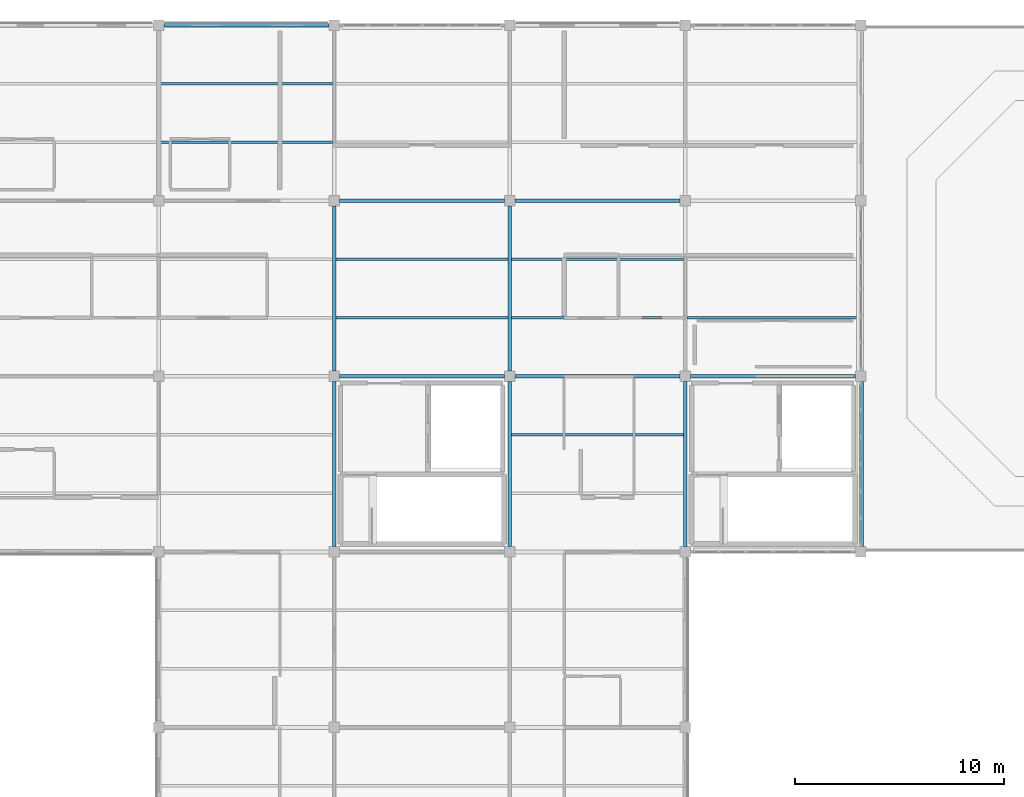
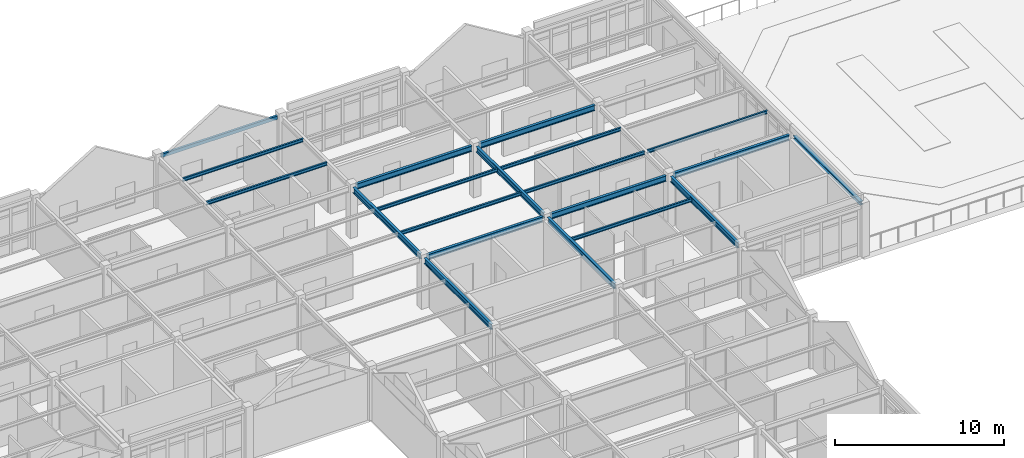
# One storey, part 22 of 45: 20 beams.
"""IFC4 building model written with IfcOpenShell, lengths in metres."""

from ifc_helpers import new_model, si_unit, direction, frame, origin, origin_2d, place, context, subcontext, project, spatial, hollow_rectangle, i_section, extrude, material, material_profile, profile_set, type_object, element, save


model = new_model("IFC4")

# Units and contexts
model_context = context("Model", 3, precision=1e-05, world=origin(), true_north=direction((0.0, 1.0)))
body_context = subcontext(model_context, "Body", "Model", "MODEL_VIEW")
ifc_project = project(units=[si_unit("LENGTHUNIT", "METRE"), si_unit("AREAUNIT", "SQUARE_METRE"), si_unit("VOLUMEUNIT", "CUBIC_METRE"), si_unit("PLANEANGLEUNIT", "RADIAN"), si_unit("MASSUNIT", "GRAM", prefix="KILO")], contexts=[model_context])

# Site, building, storey
site_placement = place(None, origin())
site = spatial("IfcSite", under=ifc_project, at=site_placement, CompositionType="ELEMENT")
building_placement = place(site_placement, origin())
building = spatial("IfcBuilding", under=site, at=building_placement, Name="Bramfleet General Hospital", CompositionType="ELEMENT")
storey_placement = place(building_placement, frame((0.0, 0.0, 30.300048828125)))
storey = spatial("IfcBuildingStorey", under=building, at=storey_placement, Name="L07", CompositionType="ELEMENT", Elevation=30.300048828125)

# Beams
ifc_material = material(Name="Steel S355", Category="steel")
ifc_material_profile_1 = material_profile(ifc_material, i_section(OverallWidth=0.239990234375, OverallDepth=0.22998046875, WebThickness=0.007568359375, FlangeThickness=0.011962890625, FilletRadius=0.02099609375, at=origin_2d()), Name="HEA 240")
ifc_profile_set_1 = profile_set([ifc_material_profile_1], Name="Steel S355")
beam_type_1 = type_object("IfcBeamType", Name="BM-HEA240", PredefinedType="SPANDREL", material=ifc_profile_set_1)
beam_1_placement = place(storey_placement, frame((126.0, 92.64990234375, 3.544921875), z_axis=(0.0, 1.0, 0.0), x_axis=(-1.0, 0.0, 0.0)))
element("IfcBeam", 1, at=beam_1_placement, inside=storey, type_object=beam_type_1, Name="L07 Grid Beam Y 15-11", PredefinedType="SPANDREL", context=body_context, shape_type="SweptSolid", body=[
    extrude(i_section(OverallWidth=0.239990234375, OverallDepth=0.22998046875, WebThickness=0.007568359375, FlangeThickness=0.011962890625, FilletRadius=0.02099609375, at=origin_2d()), origin(), (0.0, 0.0, 1.0), 7.900146484375),
])
ifc_material_profile_2 = material_profile(ifc_material, i_section(OverallWidth=0.1201171875, OverallDepth=0.239990234375, WebThickness=0.006103515625, FlangeThickness=0.009765625, FilletRadius=0.014892578125, at=origin_2d()), Name="IPE 240")
ifc_profile_set_2 = profile_set([ifc_material_profile_2], Name="Steel S355")
beam_type_2 = type_object("IfcBeamType", Name="BM-IPE240", PredefinedType="JOIST", material=ifc_profile_set_2)
for number, where, z_axis, x_axis, name in (
    (2, (92.489990234375, 112.0, 3.5400390625), (1.0, 0.0, 0.0), (0.0, 1.0, 0.0), "L07 Secondary Joist 11-13-1"),
    (3, (92.489990234375, 114.800048828125, 3.5400390625), (1.0, 0.0, 0.0), (0.0, 1.0, 0.0), "L07 Secondary Joist 11-13-2"),
):
    element("IfcBeam", number, at=place(storey_placement, frame(where, z_axis=z_axis, x_axis=x_axis)), inside=storey, type_object=beam_type_2, Name=name, PredefinedType="JOIST", context=body_context, shape_type="SweptSolid", body=[
        extrude(i_section(OverallWidth=0.1201171875, OverallDepth=0.239990234375, WebThickness=0.006103515625, FlangeThickness=0.009765625, FilletRadius=0.014892578125, at=origin_2d()), origin(), (0.0, 0.0, 1.0), 8.219970703125),
    ])
for number, where, z_axis, x_axis, name in (
    (4, (100.889892578125, 103.60009765625, 3.5400390625), (1.0, 0.0, 0.0), (0.0, 1.0, 0.0), "L07 Secondary Joist 12-12-1"),
    (5, (100.889892578125, 106.39990234375, 3.5400390625), (1.0, 0.0, 0.0), (0.0, 1.0, 0.0), "L07 Secondary Joist 12-12-2"),
):
    element("IfcBeam", number, at=place(storey_placement, frame(where, z_axis=z_axis, x_axis=x_axis)), inside=storey, type_object=beam_type_2, Name=name, PredefinedType="JOIST", context=body_context, shape_type="SweptSolid", body=[
        extrude(i_section(OverallWidth=0.1201171875, OverallDepth=0.239990234375, WebThickness=0.006103515625, FlangeThickness=0.009765625, FilletRadius=0.014892578125, at=origin_2d()), origin(), (0.0, 0.0, 1.0), 8.22021484375),
    ])
for number, where, z_axis, x_axis, name in (
    (6, (109.2900390625, 98.0, 3.5400390625), (1.0, 0.0, 0.0), (0.0, 1.0, 0.0), "L07 Secondary Joist 13-11-2"),
    (7, (109.2900390625, 103.60009765625, 3.5400390625), (1.0, 0.0, 0.0), (0.0, 1.0, 0.0), "L07 Secondary Joist 13-12-1"),
    (8, (109.2900390625, 106.39990234375, 3.5400390625), (1.0, 0.0, 0.0), (0.0, 1.0, 0.0), "L07 Secondary Joist 13-12-2"),
):
    element("IfcBeam", number, at=place(storey_placement, frame(where, z_axis=z_axis, x_axis=x_axis)), inside=storey, type_object=beam_type_2, Name=name, PredefinedType="JOIST", context=body_context, shape_type="SweptSolid", body=[
        extrude(i_section(OverallWidth=0.1201171875, OverallDepth=0.239990234375, WebThickness=0.006103515625, FlangeThickness=0.009765625, FilletRadius=0.014892578125, at=origin_2d()), origin(), (0.0, 0.0, 1.0), 8.219970703125),
    ])
beam_2_placement = place(storey_placement, frame((117.68994140625, 103.60009765625, 3.5400390625), z_axis=(1.0, 0.0, 0.0), x_axis=(0.0, 1.0, 0.0)))
element("IfcBeam", 9, at=beam_2_placement, inside=storey, type_object=beam_type_2, Name="L07 Secondary Joist 14-12-1", PredefinedType="JOIST", context=body_context, shape_type="SweptSolid", body=[
    extrude(i_section(OverallWidth=0.1201171875, OverallDepth=0.239990234375, WebThickness=0.006103515625, FlangeThickness=0.009765625, FilletRadius=0.014892578125, at=origin_2d()), origin(), (0.0, 0.0, 1.0), 8.18994140625),
])
ifc_material_profile_3 = material_profile(ifc_material, i_section(OverallWidth=0.179931640625, OverallDepth=0.39990234375, WebThickness=0.008544921875, FlangeThickness=0.013427734375, FilletRadius=0.02099609375, at=origin_2d()), Name="IPE 400")
ifc_profile_set_3 = profile_set([ifc_material_profile_3], Name="Steel S355")
beam_type_3 = type_object("IfcBeamType", Name="BM-IPE400", PredefinedType="BEAM", material=ifc_profile_set_3)
for number, where, z_axis, x_axis, name in (
    (10, (101.050048828125, 100.800048828125, 3.4599609375), (1.0, 0.0, 0.0), (0.0, 1.0, 0.0), "L07 Grid Beam X 12-12"),
    (11, (101.050048828125, 109.199951171875, 3.4599609375), (1.0, 0.0, 0.0), (0.0, 1.0, 0.0), "L07 Grid Beam X 12-13"),
):
    element("IfcBeam", number, at=place(storey_placement, frame(where, z_axis=z_axis, x_axis=x_axis)), inside=storey, type_object=beam_type_3, Name=name, PredefinedType="BEAM", context=body_context, shape_type="SweptSolid", body=[
        extrude(i_section(OverallWidth=0.179931640625, OverallDepth=0.39990234375, WebThickness=0.008544921875, FlangeThickness=0.013427734375, FilletRadius=0.02099609375, at=origin_2d()), origin(), (0.0, 0.0, 1.0), 7.89990234375),
    ])
for number, where, z_axis, x_axis, name in (
    (12, (109.449951171875, 100.800048828125, 3.4599609375), (1.0, 0.0, 0.0), (0.0, 1.0, 0.0), "L07 Grid Beam X 13-12"),
    (13, (109.449951171875, 109.199951171875, 3.4599609375), (1.0, 0.0, 0.0), (0.0, 1.0, 0.0), "L07 Grid Beam X 13-13"),
):
    element("IfcBeam", number, at=place(storey_placement, frame(where, z_axis=z_axis, x_axis=x_axis)), inside=storey, type_object=beam_type_3, Name=name, PredefinedType="BEAM", context=body_context, shape_type="SweptSolid", body=[
        extrude(i_section(OverallWidth=0.179931640625, OverallDepth=0.39990234375, WebThickness=0.008544921875, FlangeThickness=0.013427734375, FilletRadius=0.02099609375, at=origin_2d()), origin(), (0.0, 0.0, 1.0), 7.900146484375),
    ])
beam_3_placement = place(storey_placement, frame((117.85009765625, 100.800048828125, 3.4599609375), z_axis=(1.0, 0.0, 0.0), x_axis=(0.0, 1.0, 0.0)))
element("IfcBeam", 14, at=beam_3_placement, inside=storey, type_object=beam_type_3, Name="L07 Grid Beam X 14-12", PredefinedType="BEAM", context=body_context, shape_type="SweptSolid", body=[
    extrude(i_section(OverallWidth=0.179931640625, OverallDepth=0.39990234375, WebThickness=0.008544921875, FlangeThickness=0.013427734375, FilletRadius=0.02099609375, at=origin_2d()), origin(), (0.0, 0.0, 1.0), 7.89990234375),
])
beam_4_placement = place(storey_placement, frame((100.800048828125, 92.64990234375, 3.4599609375), z_axis=(0.0, 1.0, 0.0), x_axis=(-1.0, 0.0, 0.0)))
element("IfcBeam", 15, at=beam_4_placement, inside=storey, type_object=beam_type_3, Name="L07 Grid Beam Y 12-11", PredefinedType="BEAM", context=body_context, shape_type="SweptSolid", body=[
    extrude(i_section(OverallWidth=0.179931640625, OverallDepth=0.39990234375, WebThickness=0.008544921875, FlangeThickness=0.013427734375, FilletRadius=0.02099609375, at=origin_2d()), origin(), (0.0, 0.0, 1.0), 7.900146484375),
])
beam_5_placement = place(storey_placement, frame((100.800048828125, 101.050048828125, 3.4599609375), z_axis=(0.0, 1.0, 0.0), x_axis=(-1.0, 0.0, 0.0)))
element("IfcBeam", 16, at=beam_5_placement, inside=storey, type_object=beam_type_3, Name="L07 Grid Beam Y 12-12", PredefinedType="BEAM", context=body_context, shape_type="SweptSolid", body=[
    extrude(i_section(OverallWidth=0.179931640625, OverallDepth=0.39990234375, WebThickness=0.008544921875, FlangeThickness=0.013427734375, FilletRadius=0.02099609375, at=origin_2d()), origin(), (0.0, 0.0, 1.0), 7.89990234375),
])
beam_6_placement = place(storey_placement, frame((109.199951171875, 92.64990234375, 3.4599609375), z_axis=(0.0, 1.0, 0.0), x_axis=(-1.0, 0.0, 0.0)))
element("IfcBeam", 17, at=beam_6_placement, inside=storey, type_object=beam_type_3, Name="L07 Grid Beam Y 13-11", PredefinedType="BEAM", context=body_context, shape_type="SweptSolid", body=[
    extrude(i_section(OverallWidth=0.179931640625, OverallDepth=0.39990234375, WebThickness=0.008544921875, FlangeThickness=0.013427734375, FilletRadius=0.02099609375, at=origin_2d()), origin(), (0.0, 0.0, 1.0), 7.900146484375),
])
beam_7_placement = place(storey_placement, frame((109.199951171875, 101.050048828125, 3.4599609375), z_axis=(0.0, 1.0, 0.0), x_axis=(-1.0, 0.0, 0.0)))
element("IfcBeam", 18, at=beam_7_placement, inside=storey, type_object=beam_type_3, Name="L07 Grid Beam Y 13-12", PredefinedType="BEAM", context=body_context, shape_type="SweptSolid", body=[
    extrude(i_section(OverallWidth=0.179931640625, OverallDepth=0.39990234375, WebThickness=0.008544921875, FlangeThickness=0.013427734375, FilletRadius=0.02099609375, at=origin_2d()), origin(), (0.0, 0.0, 1.0), 7.89990234375),
])
beam_8_placement = place(storey_placement, frame((117.60009765625, 92.64990234375, 3.4599609375), z_axis=(0.0, 1.0, 0.0), x_axis=(-1.0, 0.0, 0.0)))
element("IfcBeam", 19, at=beam_8_placement, inside=storey, type_object=beam_type_3, Name="L07 Grid Beam Y 14-11", PredefinedType="BEAM", context=body_context, shape_type="SweptSolid", body=[
    extrude(i_section(OverallWidth=0.179931640625, OverallDepth=0.39990234375, WebThickness=0.008544921875, FlangeThickness=0.013427734375, FilletRadius=0.02099609375, at=origin_2d()), origin(), (0.0, 0.0, 1.0), 7.900146484375),
])
ifc_material_profile_4 = material_profile(ifc_material, hollow_rectangle(XDim=0.14990234375, YDim=0.25, WallThickness=0.010009765625, at=origin_2d()), Name="RHS 250x150x10.0")
ifc_profile_set_4 = profile_set([ifc_material_profile_4], Name="Steel S355")
beam_type_4 = type_object("IfcBeamType", Name="BM-RHS250", PredefinedType="SPANDREL", material=ifc_profile_set_4)
beam_9_placement = place(storey_placement, frame((92.64990234375, 117.60009765625, 3.534912109375), z_axis=(1.0, 0.0, 0.0), x_axis=(0.0, 1.0, 0.0)))
element("IfcBeam", 20, at=beam_9_placement, inside=storey, type_object=beam_type_4, Name="L07 Grid Beam X 11-14", PredefinedType="SPANDREL", context=body_context, shape_type="SweptSolid", body=[
    extrude(hollow_rectangle(XDim=0.14990234375, YDim=0.25, WallThickness=0.010009765625, at=origin_2d()), origin(), (0.0, 0.0, 1.0), 7.900146484375),
])

save(model, "model.ifc")
